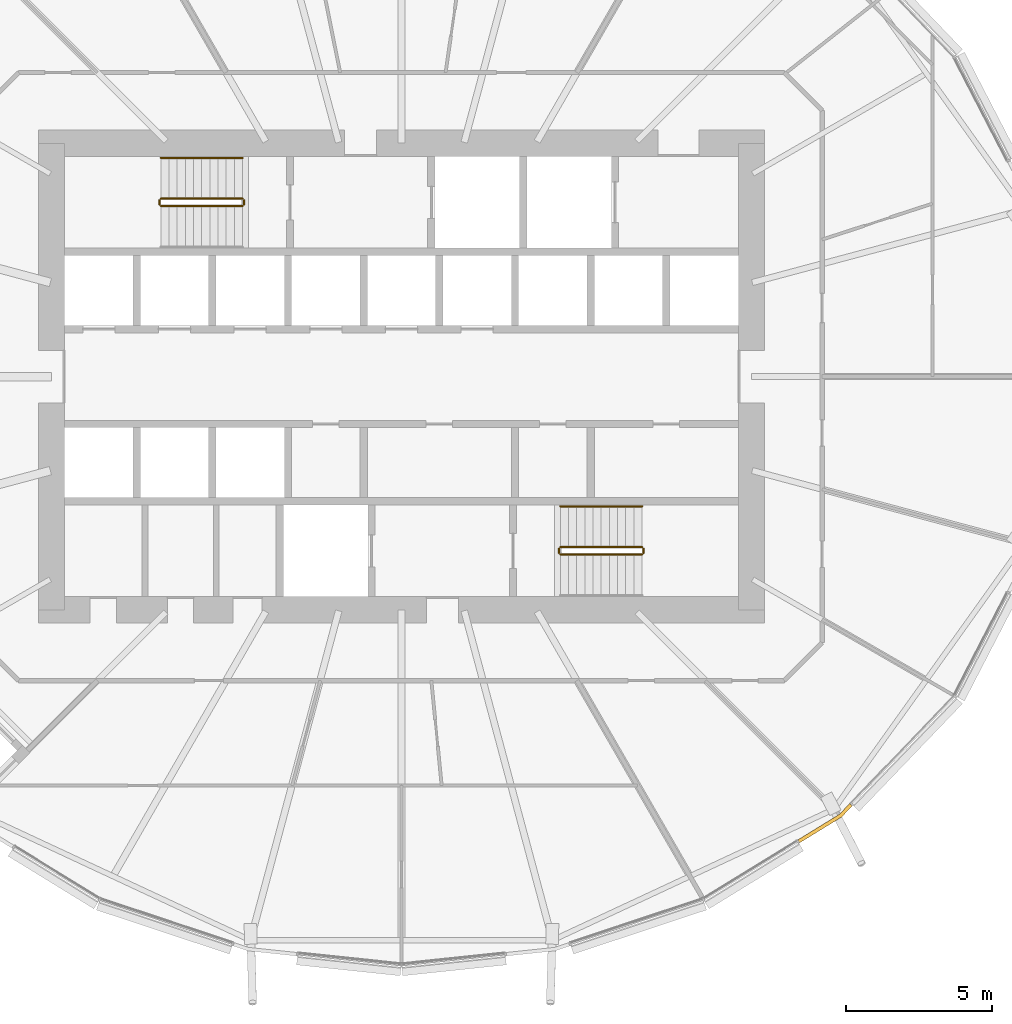
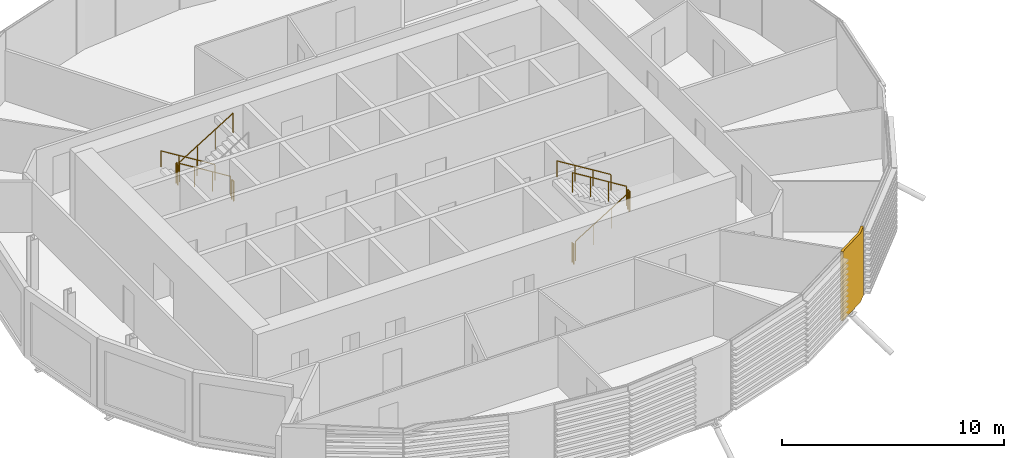
# One storey, part 33 of 37: 10 railings, 1 covering.
"""IFC4 building model written with IfcOpenShell, lengths in metres."""

from ifc_helpers import new_model, si_unit, direction, frame, origin, origin_2d, place, context, subcontext, project, spatial, polyline, circle, outline, extrude, material, layer, layer_set, type_object, element, save


model = new_model("IFC4")

# Units and contexts
model_context = context("Model", 3, precision=1e-05, world=origin(), true_north=direction((0.0, 1.0)))
body_context = subcontext(model_context, "Body", "Model", "MODEL_VIEW")
ifc_project = project(units=[si_unit("LENGTHUNIT", "METRE"), si_unit("AREAUNIT", "SQUARE_METRE"), si_unit("VOLUMEUNIT", "CUBIC_METRE"), si_unit("PLANEANGLEUNIT", "RADIAN"), si_unit("MASSUNIT", "GRAM", prefix="KILO")], contexts=[model_context])

# Site, building, storey
site_placement = place(None, origin())
site = spatial("IfcSite", under=ifc_project, at=site_placement, CompositionType="ELEMENT")
building_placement = place(site_placement, origin())
building = spatial("IfcBuilding", under=site, at=building_placement, Name="Rimbun Link Towers", CompositionType="ELEMENT")
storey_placement = place(building_placement, frame((0.0, 0.0, 45.199951171875)))
storey = spatial("IfcBuildingStorey", under=building, at=storey_placement, Name="L10", CompositionType="ELEMENT", Elevation=45.199951171875)

# Covering
ifc_material_1 = material(Name="Terracotta", Category="masonry")
ifc_layer = layer(ifc_material_1, 0.1201171875)
ifc_layer_set = layer_set([ifc_layer], Name="LINK PIER terracotta cladding 120")
covering_type = type_object("IfcCoveringType", Name="LINK PIER terracotta cladding 120", PredefinedType="CLADDING", material=ifc_layer_set)
covering_placement = place(storey_placement, origin())
element("IfcCovering", 1, at=covering_placement, inside=storey, type_object=covering_type, Name="LINK PIER cladding", PredefinedType="CLADDING", context=body_context, shape_type="SweptSolid", body=[
    extrude(outline(polyline([(-16.376953125, -14.637939453125), (-16.73681640625, -15.01318359375), (-18.159912109375, -15.886962890625), (-18.09716796875, -15.9892578125), (-16.660888671875, -15.107421875), (-16.290283203125, -14.720947265625), (-16.376953125, -14.637939453125)])), origin(), (0.0, 0.0, 1.0), 3.800048828125),
])

# Railings
ifc_material_2 = material(Name="Stainless steel grade 316", Category="steel")
railing_type_1 = type_object("IfcRailingType", Name="Stair guard", PredefinedType="GUARDRAIL", material=ifc_material_2)
railing_1_placement = place(storey_placement, frame((-37.199951171875, 6.10009765625, 0.1728515625)))
element("IfcRailing", 2, at=railing_1_placement, inside=storey, type_object=railing_type_1, Name="L10 ST1 stair guard 1", PredefinedType="GUARDRAIL", context=body_context, shape_type="SweptSolid", body=[
    extrude(circle(Radius=0.02392578125, at=origin_2d()), frame((0.0, 0.0, 1.076171875), z_axis=(-0.851089632645, 0.0, 0.525020415988), x_axis=(0.0, -1.0, 0.0)), (0.0, 0.0, 1.0), 3.2900390625),
    extrude(circle(Radius=0.02099609375, at=origin_2d()), origin(), (0.0, 0.0, 1.0), 1.052001953125),
    extrude(circle(Radius=0.02099609375, at=origin_2d()), frame((-0.933349609375, 0.0, 0.57568359375)), (0.0, 0.0, 1.0), 1.052001953125),
    extrude(circle(Radius=0.02099609375, at=origin_2d()), frame((-1.86669921875, 0.0, 1.151611328125)), (0.0, 0.0, 1.0), 1.052001953125),
    extrude(circle(Radius=0.02099609375, at=origin_2d()), frame((-2.800048828125, 0.0, 1.727294921875)), (0.0, 0.0, 1.0), 1.052001953125),
])
railing_2_placement = place(storey_placement, frame((-40.050048828125, 6.050048828125, 1.900146484375)))
element("IfcRailing", 3, at=railing_2_placement, inside=storey, type_object=railing_type_1, Name="L10 ST1 stair guard 2", PredefinedType="GUARDRAIL", context=body_context, shape_type="SweptSolid", body=[
    extrude(circle(Radius=0.02392578125, at=origin_2d()), frame((0.0, 0.0, 1.076171875), z_axis=(0.0, -1.0, 0.0), x_axis=(1.0, 0.0, 0.0)), (0.0, 0.0, 1.0), 0.150146484375),
    extrude(circle(Radius=0.02099609375, at=origin_2d()), origin(), (0.0, 0.0, 1.0), 1.052001953125),
    extrude(circle(Radius=0.02099609375, at=origin_2d()), frame((0.0, -0.150146484375, 0.0)), (0.0, 0.0, 1.0), 1.052001953125),
])
railing_3_placement = place(storey_placement, frame((-40.0, 5.85009765625, 2.07275390625)))
element("IfcRailing", 4, at=railing_3_placement, inside=storey, type_object=railing_type_1, Name="L10 ST1 stair guard 3", PredefinedType="GUARDRAIL", context=body_context, shape_type="SweptSolid", body=[
    extrude(circle(Radius=0.02392578125, at=origin_2d()), frame((0.0, 0.0, 1.076171875), z_axis=(0.851089632645, 0.0, 0.525020415988), x_axis=(0.0, 1.0, 0.0)), (0.0, 0.0, 1.0), 3.2900390625),
    extrude(circle(Radius=0.02099609375, at=origin_2d()), origin(), (0.0, 0.0, 1.0), 1.052001953125),
    extrude(circle(Radius=0.02099609375, at=origin_2d()), frame((0.933349609375, 0.0, 0.57568359375)), (0.0, 0.0, 1.0), 1.052001953125),
    extrude(circle(Radius=0.02099609375, at=origin_2d()), frame((1.86669921875, 0.0, 1.151611328125)), (0.0, 0.0, 1.0), 1.052001953125),
    extrude(circle(Radius=0.02099609375, at=origin_2d()), frame((2.800048828125, 0.0, 1.727294921875)), (0.0, 0.0, 1.0), 1.052001953125),
])
railing_4_placement = place(storey_placement, frame((-37.14990234375, 6.050048828125, 0.0)))
element("IfcRailing", 5, at=railing_4_placement, inside=storey, type_object=railing_type_1, Name="L10 ST1 stair guard 4", PredefinedType="GUARDRAIL", context=body_context, shape_type="SweptSolid", body=[
    extrude(circle(Radius=0.02392578125, at=origin_2d()), frame((0.0, 0.0, 1.076171875), z_axis=(0.0, -1.0, 0.0), x_axis=(1.0, 0.0, 0.0)), (0.0, 0.0, 1.0), 0.150146484375),
    extrude(circle(Radius=0.02099609375, at=origin_2d()), origin(), (0.0, 0.0, 1.0), 1.052001953125),
    extrude(circle(Radius=0.02099609375, at=origin_2d()), frame((0.0, -0.150146484375, 0.0)), (0.0, 0.0, 1.0), 1.052001953125),
])
railing_5_placement = place(storey_placement, frame((-26.300048828125, -6.10009765625, 0.1728515625)))
element("IfcRailing", 6, at=railing_5_placement, inside=storey, type_object=railing_type_1, Name="L10 ST2 stair guard 1", PredefinedType="GUARDRAIL", context=body_context, shape_type="SweptSolid", body=[
    extrude(circle(Radius=0.02392578125, at=origin_2d()), frame((0.0, 0.0, 1.076171875), z_axis=(0.851089632645, 0.0, 0.525020415988), x_axis=(0.0, 1.0, 0.0)), (0.0, 0.0, 1.0), 3.2900390625),
    extrude(circle(Radius=0.02099609375, at=origin_2d()), origin(), (0.0, 0.0, 1.0), 1.052001953125),
    extrude(circle(Radius=0.02099609375, at=origin_2d()), frame((0.933349609375, 0.0, 0.57568359375)), (0.0, 0.0, 1.0), 1.052001953125),
    extrude(circle(Radius=0.02099609375, at=origin_2d()), frame((1.86669921875, 0.0, 1.151611328125)), (0.0, 0.0, 1.0), 1.052001953125),
    extrude(circle(Radius=0.02099609375, at=origin_2d()), frame((2.800048828125, 0.0, 1.727294921875)), (0.0, 0.0, 1.0), 1.052001953125),
])
railing_6_placement = place(storey_placement, frame((-23.449951171875, -6.050048828125, 1.900146484375)))
element("IfcRailing", 7, at=railing_6_placement, inside=storey, type_object=railing_type_1, Name="L10 ST2 stair guard 2", PredefinedType="GUARDRAIL", context=body_context, shape_type="SweptSolid", body=[
    extrude(circle(Radius=0.02392578125, at=origin_2d()), frame((0.0, 0.0, 1.076171875), z_axis=(0.0, 1.0, 0.0), x_axis=(-1.0, 0.0, 0.0)), (0.0, 0.0, 1.0), 0.150146484375),
    extrude(circle(Radius=0.02099609375, at=origin_2d()), origin(), (0.0, 0.0, 1.0), 1.052001953125),
    extrude(circle(Radius=0.02099609375, at=origin_2d()), frame((0.0, 0.150146484375, 0.0)), (0.0, 0.0, 1.0), 1.052001953125),
])
railing_7_placement = place(storey_placement, frame((-23.5, -5.85009765625, 2.07275390625)))
element("IfcRailing", 8, at=railing_7_placement, inside=storey, type_object=railing_type_1, Name="L10 ST2 stair guard 3", PredefinedType="GUARDRAIL", context=body_context, shape_type="SweptSolid", body=[
    extrude(circle(Radius=0.02392578125, at=origin_2d()), frame((0.0, 0.0, 1.076171875), z_axis=(-0.851089632645, 0.0, 0.525020415988), x_axis=(0.0, -1.0, 0.0)), (0.0, 0.0, 1.0), 3.2900390625),
    extrude(circle(Radius=0.02099609375, at=origin_2d()), origin(), (0.0, 0.0, 1.0), 1.052001953125),
    extrude(circle(Radius=0.02099609375, at=origin_2d()), frame((-0.933349609375, 0.0, 0.57568359375)), (0.0, 0.0, 1.0), 1.052001953125),
    extrude(circle(Radius=0.02099609375, at=origin_2d()), frame((-1.86669921875, 0.0, 1.151611328125)), (0.0, 0.0, 1.0), 1.052001953125),
    extrude(circle(Radius=0.02099609375, at=origin_2d()), frame((-2.800048828125, 0.0, 1.727294921875)), (0.0, 0.0, 1.0), 1.052001953125),
])
railing_8_placement = place(storey_placement, frame((-26.35009765625, -6.050048828125, 0.0)))
element("IfcRailing", 9, at=railing_8_placement, inside=storey, type_object=railing_type_1, Name="L10 ST2 stair guard 4", PredefinedType="GUARDRAIL", context=body_context, shape_type="SweptSolid", body=[
    extrude(circle(Radius=0.02392578125, at=origin_2d()), frame((0.0, 0.0, 1.076171875), z_axis=(0.0, 1.0, 0.0), x_axis=(-1.0, 0.0, 0.0)), (0.0, 0.0, 1.0), 0.150146484375),
    extrude(circle(Radius=0.02099609375, at=origin_2d()), origin(), (0.0, 0.0, 1.0), 1.052001953125),
    extrude(circle(Radius=0.02099609375, at=origin_2d()), frame((0.0, 0.150146484375, 0.0)), (0.0, 0.0, 1.0), 1.052001953125),
])
ifc_material_3 = material(Name="Stainless steel grade 316", Category="steel")
railing_type_2 = type_object("IfcRailingType", Name="Stair handrail", PredefinedType="HANDRAIL", material=ifc_material_3)
for number, where, name in (
    (10, (-37.199951171875, 7.5, 0.1728515625), "L10 ST1 stair handrail 1"),
    (11, (-23.5, -4.449951171875, 2.07275390625), "L10 ST2 stair handrail 2"),
):
    element("IfcRailing", number, at=place(storey_placement, frame(where)), inside=storey, type_object=railing_type_2, Name=name, PredefinedType="HANDRAIL", context=body_context, shape_type="SweptSolid", body=[
        extrude(circle(Radius=0.02392578125, at=origin_2d()), frame((0.0, 0.0, 0.8759765625), z_axis=(-0.851089632645, 0.0, 0.525020415988), x_axis=(0.0, -1.0, 0.0)), (0.0, 0.0, 1.0), 3.2900390625),
        extrude(circle(Radius=0.02099609375, at=origin_2d()), origin(), (0.0, 0.0, 1.0), 0.851806640625),
        extrude(circle(Radius=0.02099609375, at=origin_2d()), frame((-0.933349609375, 0.0, 0.57568359375)), (0.0, 0.0, 1.0), 0.851806640625),
        extrude(circle(Radius=0.02099609375, at=origin_2d()), frame((-1.86669921875, 0.0, 1.151611328125)), (0.0, 0.0, 1.0), 0.851806640625),
        extrude(circle(Radius=0.02099609375, at=origin_2d()), frame((-2.800048828125, 0.0, 1.727294921875)), (0.0, 0.0, 1.0), 0.851806640625),
    ])

save(model, "model.ifc")
